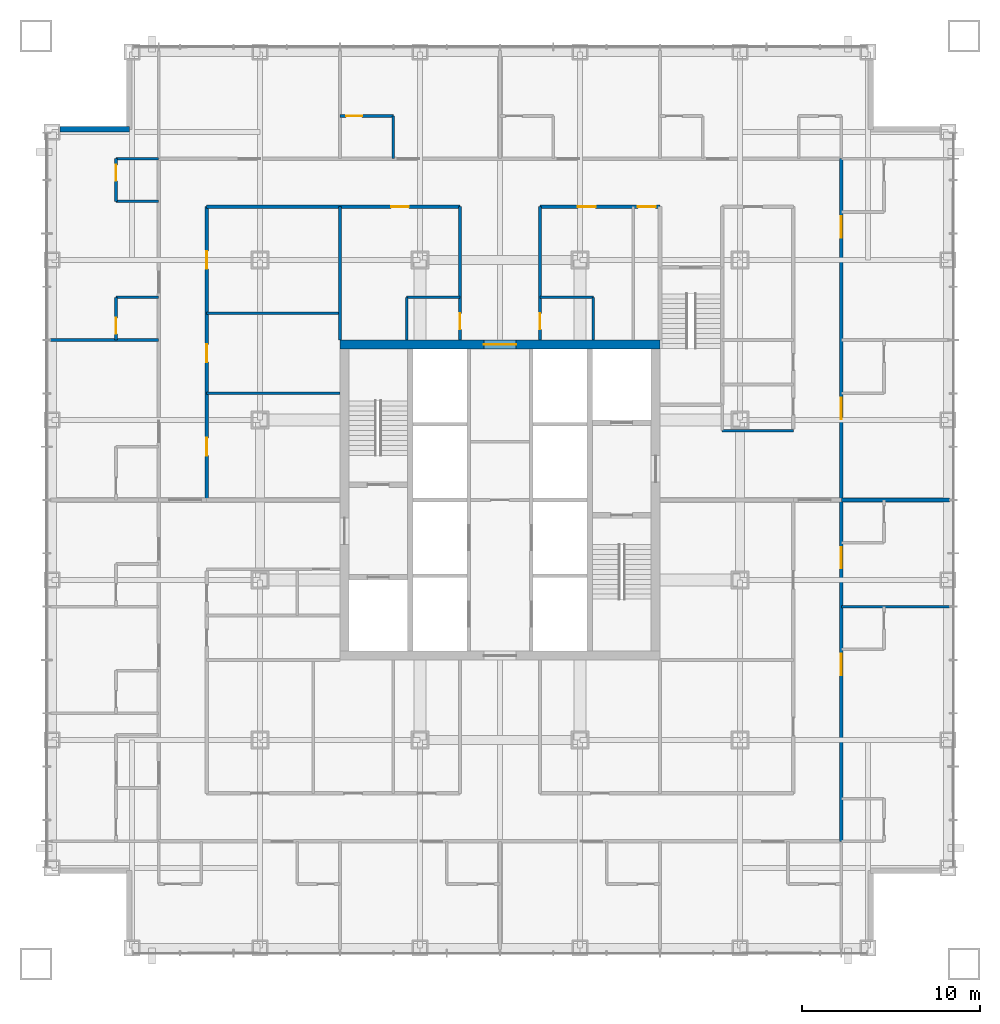
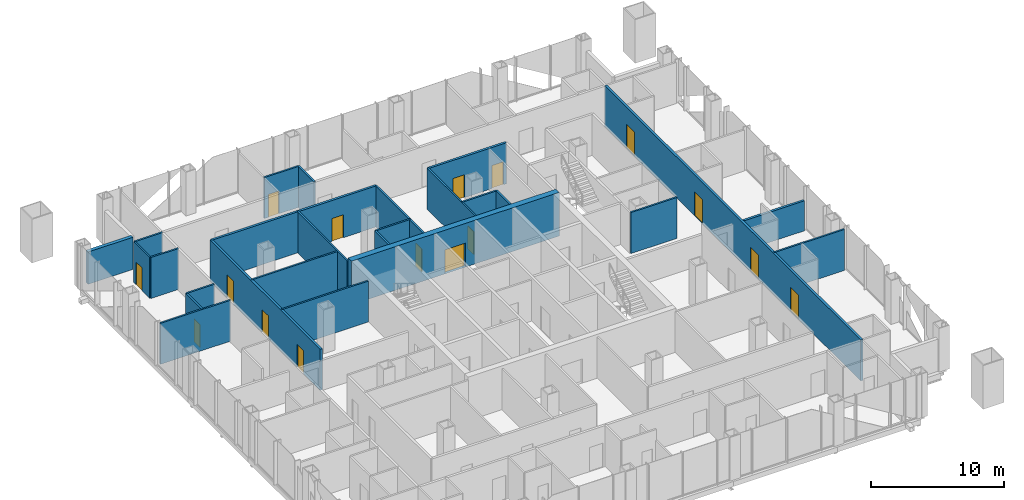
# One storey, part 10 of 13: 26 walls, 16 doors, 16 openings.
"""IFC4 building model written with IfcOpenShell, lengths in metres."""

from ifc_helpers import new_model, si_unit, direction, frame, frame_2d, origin, place, context, subcontext, project, spatial, rectangle, extrude, material, layer, layer_set, type_object, element, fill, save


model = new_model("IFC4")

# Units and contexts
model_context = context("Model", 3, precision=1e-05, world=origin(), true_north=direction((0.0, 1.0)))
body_context = subcontext(model_context, "Body", "Model", "MODEL_VIEW")
ifc_project = project(units=[si_unit("LENGTHUNIT", "METRE"), si_unit("AREAUNIT", "SQUARE_METRE"), si_unit("VOLUMEUNIT", "CUBIC_METRE"), si_unit("PLANEANGLEUNIT", "RADIAN"), si_unit("MASSUNIT", "GRAM", prefix="KILO")], contexts=[model_context])

# Site, building, storey
site_placement = place(None, origin())
site = spatial("IfcSite", under=ifc_project, at=site_placement, CompositionType="ELEMENT")
building_placement = place(site_placement, origin())
building = spatial("IfcBuilding", under=site, at=building_placement, Name="Malebo Sky Hospital", CompositionType="ELEMENT")
storey_placement = place(building_placement, frame((0.0, 0.0, 67.0)))
storey = spatial("IfcBuildingStorey", under=building, at=storey_placement, Name="L15", CompositionType="ELEMENT", Elevation=67.0)

# Wall, opening, door
ifc_material_1 = material(Name="Concrete C80/95", Category="concrete")
ifc_layer_1 = layer(ifc_material_1, 0.5)
ifc_layer_set_1 = layer_set([ifc_layer_1], Name="CORE WALL 500")
wall_type_1 = type_object("IfcWallType", Name="CORE WALL 500", PredefinedType="SHEAR", material=ifc_layer_set_1)
wall_1_placement = place(storey_placement, frame((51.0, 70.75, 0.0), z_axis=(0.0, 0.0, 1.0), x_axis=(1.0, 0.0, 0.0)))
wall_1 = element("IfcWall", 1, at=wall_1_placement, inside=storey, type_object=wall_type_1, Name="Core wall N L15", PredefinedType="SHEAR", context=body_context, shape_type="SweptSolid", body=[
    extrude(rectangle(XDim=18.0, YDim=0.5, at=frame_2d((9.0, 0.0))), origin(), (0.0, 0.0, 1.0), 4.0),
])
opening_1_placement = place(wall_1_placement, frame((8.10009765625, 0.0, 0.0)))
opening_1 = element("IfcOpeningElement", 2, at=opening_1_placement, cuts=wall_1, Name="Opening D06", PredefinedType="OPENING", context=body_context, shape_type="SweptSolid", body=[
    extrude(rectangle(XDim=1.800048828125, YDim=2.199951171875, at=frame_2d((0.89990234375, 1.10009765625))), frame((0.0, 0.260009765625, 0.0), z_axis=(0.0, -1.0, 0.0), x_axis=(1.0, 0.0, 0.0)), (0.0, 0.0, 1.0), 0.52001953125),
])
ifc_material_2 = material(Name="Hardwood-faced door leaf in steel frame", Category="steel")
door_type_1 = type_object("IfcDoorType", Name="LOBBY DOOR PAIR 1800", OperationType="DOUBLE_DOOR_SINGLE_SWING", PredefinedType="DOOR", material=ifc_material_2)
door_1_placement = place(opening_1_placement, origin())
door_1 = element("IfcDoor", 3, at=door_1_placement, inside=storey, type_object=door_type_1, Name="staff rest room door north", OperationType="DOUBLE_DOOR_SINGLE_SWING", OverallHeight=2.199951171875, OverallWidth=1.800048828125, PredefinedType="DOOR", context=body_context, shape_type="SweptSolid", body=[
    extrude(rectangle(XDim=1.800048828125, YDim=2.199951171875, at=frame_2d((0.89990234375, 1.10009765625))), frame((0.0, 0.02490234375, 0.0), z_axis=(0.0, -1.0, 0.0), x_axis=(1.0, 0.0, 0.0)), (0.0, 0.0, 1.0), 0.050048828125),
])
fill(opening_1, door_1)

ifc_material_3 = material(Name="Gypsum board on steel studs", Category="steel")
ifc_layer_2 = layer(ifc_material_3, 0.199951171875)
ifc_layer_set_2 = layer_set([ifc_layer_2], Name="CORRIDOR WALL 200")
wall_type_2 = type_object("IfcWallType", Name="CORRIDOR WALL 200", PredefinedType="PARTITIONING", material=ifc_layer_set_2)
wall_2_placement = place(storey_placement, frame((43.5, 78.5, 0.0), z_axis=(0.0, 0.0, 1.0), x_axis=(1.0, 0.0, 0.0)))
wall_2 = element("IfcWall", 4, at=wall_2_placement, inside=storey, type_object=wall_type_2, Name="Corridor Wall 200 NCI1", PredefinedType="PARTITIONING", context=body_context, shape_type="SweptSolid", body=[
    extrude(rectangle(XDim=14.25, YDim=0.199951171875, at=frame_2d((7.125, 0.0))), origin(), (0.0, 0.0, 1.0), 3.75),
])
opening_2_placement = place(wall_2_placement, frame((10.375, 0.0, 0.0)))
opening_2 = element("IfcOpeningElement", 5, at=opening_2_placement, cuts=wall_2, Name="Opening D03", PredefinedType="OPENING", context=body_context, shape_type="SweptSolid", body=[
    extrude(rectangle(XDim=1.0, YDim=2.10009765625, at=frame_2d((0.5, 1.050048828125))), frame((0.0, 0.10986328125, 0.0), z_axis=(0.0, -1.0, 0.0), x_axis=(1.0, 0.0, 0.0)), (0.0, 0.0, 1.0), 0.219970703125),
])
door_type_2 = type_object("IfcDoorType", Name="ROOM DOOR 1000", OperationType="SINGLE_SWING_LEFT", PredefinedType="DOOR", material=ifc_material_2)
door_2_placement = place(opening_2_placement, origin())
door_2 = element("IfcDoor", 6, at=door_2_placement, inside=storey, type_object=door_type_2, Name="Ward pantry door", OperationType="SINGLE_SWING_LEFT", OverallHeight=2.10009765625, OverallWidth=1.0, PredefinedType="DOOR", context=body_context, shape_type="SweptSolid", body=[
    extrude(rectangle(XDim=1.0, YDim=2.10009765625, at=frame_2d((0.5, 1.050048828125))), frame((0.0, 0.02490234375, 0.0), z_axis=(0.0, -1.0, 0.0), x_axis=(1.0, 0.0, 0.0)), (0.0, 0.0, 1.0), 0.050048828125),
])
fill(opening_2, door_2)

# Wall, openings, doors
wall_3_placement = place(storey_placement, frame((62.25, 78.5, 0.0), z_axis=(0.0, 0.0, 1.0), x_axis=(1.0, 0.0, 0.0)))
wall_3 = element("IfcWall", 7, at=wall_3_placement, inside=storey, type_object=wall_type_2, Name="Corridor Wall 200 NCI2", PredefinedType="PARTITIONING", context=body_context, shape_type="SweptSolid", body=[
    extrude(rectangle(XDim=6.75, YDim=0.199951171875, at=frame_2d((3.375, 0.0))), origin(), (0.0, 0.0, 1.0), 3.75),
])
opening_3_placement = place(wall_3_placement, frame((2.125, 0.0, 0.0)))
opening_3 = element("IfcOpeningElement", 8, at=opening_3_placement, cuts=wall_3, Name="Opening D03", PredefinedType="OPENING", context=body_context, shape_type="SweptSolid", body=[
    extrude(rectangle(XDim=1.0, YDim=2.10009765625, at=frame_2d((0.5, 1.050048828125))), frame((0.0, 0.10986328125, 0.0), z_axis=(0.0, -1.0, 0.0), x_axis=(1.0, 0.0, 0.0)), (0.0, 0.0, 1.0), 0.219970703125),
])
opening_4_placement = place(wall_3_placement, frame((5.5, 0.0, 0.0)))
opening_4 = element("IfcOpeningElement", 9, at=opening_4_placement, cuts=wall_3, Name="Opening D03", PredefinedType="OPENING", context=body_context, shape_type="SweptSolid", body=[
    extrude(rectangle(XDim=1.0, YDim=2.10009765625, at=frame_2d((0.5, 1.050048828125))), frame((0.0, 0.10986328125, 0.0), z_axis=(0.0, -1.0, 0.0), x_axis=(1.0, 0.0, 0.0)), (0.0, 0.0, 1.0), 0.219970703125),
])
door_3_placement = place(opening_3_placement, origin())
door_3 = element("IfcDoor", 10, at=door_3_placement, inside=storey, type_object=door_type_2, Name="Clean utility room door", OperationType="SINGLE_SWING_LEFT", OverallHeight=2.10009765625, OverallWidth=1.0, PredefinedType="DOOR", context=body_context, shape_type="SweptSolid", body=[
    extrude(rectangle(XDim=1.0, YDim=2.10009765625, at=frame_2d((0.5, 1.050048828125))), frame((0.0, 0.02490234375, 0.0), z_axis=(0.0, -1.0, 0.0), x_axis=(1.0, 0.0, 0.0)), (0.0, 0.0, 1.0), 0.050048828125),
])
fill(opening_3, door_3)
door_4_placement = place(opening_4_placement, origin())
door_4 = element("IfcDoor", 11, at=door_4_placement, inside=storey, type_object=door_type_2, Name="Physiotherapy store door", OperationType="SINGLE_SWING_RIGHT", OverallHeight=2.10009765625, OverallWidth=1.0, PredefinedType="DOOR", context=body_context, shape_type="SweptSolid", body=[
    extrude(rectangle(XDim=1.0, YDim=2.10009765625, at=frame_2d((0.5, 1.050048828125))), frame((0.0, 0.02490234375, 0.0), z_axis=(0.0, -1.0, 0.0), x_axis=(1.0, 0.0, 0.0)), (0.0, 0.0, 1.0), 0.050048828125),
])
fill(opening_4, door_4)

wall_4_placement = place(storey_placement, frame((43.5, 62.0, 0.0), z_axis=(0.0, 0.0, 1.0), x_axis=(0.0, 1.0, 0.0)))
wall_4 = element("IfcWall", 12, at=wall_4_placement, inside=storey, type_object=wall_type_2, Name="Corridor Wall 200 WCI2", PredefinedType="PARTITIONING", context=body_context, shape_type="SweptSolid", body=[
    extrude(rectangle(XDim=16.5, YDim=0.199951171875, at=frame_2d((8.25, 0.0))), origin(), (0.0, 0.0, 1.0), 3.75),
])
opening_5_placement = place(wall_4_placement, frame((2.5, 0.0, 0.0)))
opening_5 = element("IfcOpeningElement", 13, at=opening_5_placement, cuts=wall_4, Name="Opening D03", PredefinedType="OPENING", context=body_context, shape_type="SweptSolid", body=[
    extrude(rectangle(XDim=1.0, YDim=2.10009765625, at=frame_2d((0.5, 1.050048828125))), frame((0.0, 0.10986328125, 0.0), z_axis=(0.0, -1.0, 0.0), x_axis=(1.0, 0.0, 0.0)), (0.0, 0.0, 1.0), 0.219970703125),
])
opening_6_placement = place(wall_4_placement, frame((7.75, 0.0, 0.0)))
opening_6 = element("IfcOpeningElement", 14, at=opening_6_placement, cuts=wall_4, Name="Opening D03", PredefinedType="OPENING", context=body_context, shape_type="SweptSolid", body=[
    extrude(rectangle(XDim=1.0, YDim=2.10009765625, at=frame_2d((0.5, 1.050048828125))), frame((0.0, 0.10986328125, 0.0), z_axis=(0.0, -1.0, 0.0), x_axis=(1.0, 0.0, 0.0)), (0.0, 0.0, 1.0), 0.219970703125),
])
opening_7_placement = place(wall_4_placement, frame((13.0, 0.0, 0.0)))
opening_7 = element("IfcOpeningElement", 15, at=opening_7_placement, cuts=wall_4, Name="Opening D03", PredefinedType="OPENING", context=body_context, shape_type="SweptSolid", body=[
    extrude(rectangle(XDim=1.0, YDim=2.10009765625, at=frame_2d((0.5, 1.050048828125))), frame((0.0, 0.10986328125, 0.0), z_axis=(0.0, -1.0, 0.0), x_axis=(1.0, 0.0, 0.0)), (0.0, 0.0, 1.0), 0.219970703125),
])
door_5_placement = place(opening_5_placement, origin())
door_5 = element("IfcDoor", 16, at=door_5_placement, inside=storey, type_object=door_type_2, Name="Plaster room door", OperationType="SINGLE_SWING_LEFT", OverallHeight=2.10009765625, OverallWidth=1.0, PredefinedType="DOOR", context=body_context, shape_type="SweptSolid", body=[
    extrude(rectangle(XDim=1.0, YDim=2.10009765625, at=frame_2d((0.5, 1.050048828125))), frame((0.0, 0.02490234375, 0.0), z_axis=(0.0, -1.0, 0.0), x_axis=(1.0, 0.0, 0.0)), (0.0, 0.0, 1.0), 0.050048828125),
])
fill(opening_5, door_5)
door_6_placement = place(opening_6_placement, origin())
door_6 = element("IfcDoor", 17, at=door_6_placement, inside=storey, type_object=door_type_2, Name="Orthotics fitting room door", OperationType="SINGLE_SWING_LEFT", OverallHeight=2.10009765625, OverallWidth=1.0, PredefinedType="DOOR", context=body_context, shape_type="SweptSolid", body=[
    extrude(rectangle(XDim=1.0, YDim=2.10009765625, at=frame_2d((0.5, 1.050048828125))), frame((0.0, 0.02490234375, 0.0), z_axis=(0.0, -1.0, 0.0), x_axis=(1.0, 0.0, 0.0)), (0.0, 0.0, 1.0), 0.050048828125),
])
fill(opening_6, door_6)
door_7_placement = place(opening_7_placement, origin())
door_7 = element("IfcDoor", 18, at=door_7_placement, inside=storey, type_object=door_type_2, Name="Equipment bay store door", OperationType="SINGLE_SWING_RIGHT", OverallHeight=2.10009765625, OverallWidth=1.0, PredefinedType="DOOR", context=body_context, shape_type="SweptSolid", body=[
    extrude(rectangle(XDim=1.0, YDim=2.10009765625, at=frame_2d((0.5, 1.050048828125))), frame((0.0, 0.02490234375, 0.0), z_axis=(0.0, -1.0, 0.0), x_axis=(1.0, 0.0, 0.0)), (0.0, 0.0, 1.0), 0.050048828125),
])
fill(opening_7, door_7)

wall_5_placement = place(storey_placement, frame((79.199951171875, 81.199951171875, 0.0), z_axis=(0.0, 0.0, 1.0), x_axis=(0.0, -1.0, 0.0)))
wall_5 = element("IfcWall", 19, at=wall_5_placement, inside=storey, type_object=wall_type_2, Name="Corridor Wall 200 ECO", PredefinedType="PARTITIONING", context=body_context, shape_type="SweptSolid", body=[
    extrude(rectangle(XDim=38.39990234375, YDim=0.199951171875, at=frame_2d((19.199951171875, 0.0))), origin(), (0.0, 0.0, 1.0), 3.75),
])
opening_8_placement = place(wall_5_placement, frame((3.25, 0.0, 0.0)))
opening_8 = element("IfcOpeningElement", 20, at=opening_8_placement, cuts=wall_5, Name="Opening D01", PredefinedType="OPENING", context=body_context, shape_type="SweptSolid", body=[
    extrude(rectangle(XDim=1.199951171875, YDim=2.199951171875, at=frame_2d((0.60009765625, 1.10009765625))), frame((0.0, 0.10986328125, 0.0), z_axis=(0.0, -1.0, 0.0), x_axis=(1.0, 0.0, 0.0)), (0.0, 0.0, 1.0), 0.219970703125),
])
opening_9_placement = place(wall_5_placement, frame((13.449951171875, 0.0, 0.0)))
opening_9 = element("IfcOpeningElement", 21, at=opening_9_placement, cuts=wall_5, Name="Opening D01", PredefinedType="OPENING", context=body_context, shape_type="SweptSolid", body=[
    extrude(rectangle(XDim=1.199951171875, YDim=2.199951171875, at=frame_2d((0.60009765625, 1.10009765625))), frame((0.0, 0.10986328125, 0.0), z_axis=(0.0, -1.0, 0.0), x_axis=(1.0, 0.0, 0.0)), (0.0, 0.0, 1.0), 0.219970703125),
])
opening_10_placement = place(wall_5_placement, frame((21.85009765625, 0.0, 0.0)))
opening_10 = element("IfcOpeningElement", 22, at=opening_10_placement, cuts=wall_5, Name="Opening D01", PredefinedType="OPENING", context=body_context, shape_type="SweptSolid", body=[
    extrude(rectangle(XDim=1.199951171875, YDim=2.199951171875, at=frame_2d((0.60009765625, 1.10009765625))), frame((0.0, 0.10986328125, 0.0), z_axis=(0.0, -1.0, 0.0), x_axis=(1.0, 0.0, 0.0)), (0.0, 0.0, 1.0), 0.219970703125),
])
opening_11_placement = place(wall_5_placement, frame((27.85009765625, 0.0, 0.0)))
opening_11 = element("IfcOpeningElement", 23, at=opening_11_placement, cuts=wall_5, Name="Opening D01", PredefinedType="OPENING", context=body_context, shape_type="SweptSolid", body=[
    extrude(rectangle(XDim=1.199951171875, YDim=2.199951171875, at=frame_2d((0.60009765625, 1.10009765625))), frame((0.0, 0.10986328125, 0.0), z_axis=(0.0, -1.0, 0.0), x_axis=(1.0, 0.0, 0.0)), (0.0, 0.0, 1.0), 0.219970703125),
])
door_type_3 = type_object("IfcDoorType", Name="BED DOOR 1200", OperationType="SINGLE_SWING_LEFT", PredefinedType="DOOR", material=ifc_material_2)
door_8_placement = place(opening_8_placement, origin())
door_8 = element("IfcDoor", 24, at=door_8_placement, inside=storey, type_object=door_type_3, Name="Two-bed room door", OperationType="SINGLE_SWING_LEFT", OverallHeight=2.199951171875, OverallWidth=1.199951171875, PredefinedType="DOOR", context=body_context, shape_type="SweptSolid", body=[
    extrude(rectangle(XDim=1.199951171875, YDim=2.199951171875, at=frame_2d((0.60009765625, 1.10009765625))), frame((0.0, 0.02490234375, 0.0), z_axis=(0.0, -1.0, 0.0), x_axis=(1.0, 0.0, 0.0)), (0.0, 0.0, 1.0), 0.050048828125),
])
fill(opening_8, door_8)
door_9_placement = place(opening_9_placement, origin())
door_9 = element("IfcDoor", 25, at=door_9_placement, inside=storey, type_object=door_type_3, Name="Two-bed room door", OperationType="SINGLE_SWING_LEFT", OverallHeight=2.199951171875, OverallWidth=1.199951171875, PredefinedType="DOOR", context=body_context, shape_type="SweptSolid", body=[
    extrude(rectangle(XDim=1.199951171875, YDim=2.199951171875, at=frame_2d((0.60009765625, 1.10009765625))), frame((0.0, 0.02490234375, 0.0), z_axis=(0.0, -1.0, 0.0), x_axis=(1.0, 0.0, 0.0)), (0.0, 0.0, 1.0), 0.050048828125),
])
fill(opening_9, door_9)
door_10_placement = place(opening_10_placement, origin())
door_10 = element("IfcDoor", 26, at=door_10_placement, inside=storey, type_object=door_type_3, Name="Single bed room door", OperationType="SINGLE_SWING_LEFT", OverallHeight=2.199951171875, OverallWidth=1.199951171875, PredefinedType="DOOR", context=body_context, shape_type="SweptSolid", body=[
    extrude(rectangle(XDim=1.199951171875, YDim=2.199951171875, at=frame_2d((0.60009765625, 1.10009765625))), frame((0.0, 0.02490234375, 0.0), z_axis=(0.0, -1.0, 0.0), x_axis=(1.0, 0.0, 0.0)), (0.0, 0.0, 1.0), 0.050048828125),
])
fill(opening_10, door_10)
door_11_placement = place(opening_11_placement, origin())
door_11 = element("IfcDoor", 27, at=door_11_placement, inside=storey, type_object=door_type_3, Name="Four-bed bay door", OperationType="SINGLE_SWING_LEFT", OverallHeight=2.199951171875, OverallWidth=1.199951171875, PredefinedType="DOOR", context=body_context, shape_type="SweptSolid", body=[
    extrude(rectangle(XDim=1.199951171875, YDim=2.199951171875, at=frame_2d((0.60009765625, 1.10009765625))), frame((0.0, 0.02490234375, 0.0), z_axis=(0.0, -1.0, 0.0), x_axis=(1.0, 0.0, 0.0)), (0.0, 0.0, 1.0), 0.050048828125),
])
fill(opening_11, door_11)

# Wall
ifc_material_4 = material(Name="Anodised aluminium rainscreen on steel framing", Category="steel")
ifc_layer_3 = layer(ifc_material_4, 0.300048828125)
ifc_layer_set_3 = layer_set([ifc_layer_3], Name="NOTCH RAINSCREEN WALL 300")
wall_type_3 = type_object("IfcWallType", Name="NOTCH RAINSCREEN WALL 300", PredefinedType="ELEMENTEDWALL", material=ifc_layer_set_3)
wall_6_placement = place(storey_placement, frame((35.25, 82.85009765625, 0.0), z_axis=(0.0, 0.0, 1.0), x_axis=(1.0, 0.0, 0.0)))
element("IfcWall", 28, at=wall_6_placement, inside=storey, type_object=wall_type_3, Name="Notch rainscreen wall W1 L15", PredefinedType="ELEMENTEDWALL", context=body_context, shape_type="SweptSolid", body=[
    extrude(rectangle(XDim=3.89990234375, YDim=0.300048828125, at=frame_2d((1.949951171875, 0.0))), origin(), (0.0, 0.0, 1.0), 2.949951171875),
])

# Wall, opening, door
ifc_layer_4 = layer(ifc_material_3, 0.14990234375)
ifc_layer_set_4 = layer_set([ifc_layer_4], Name="PARTITION 150")
wall_type_4 = type_object("IfcWallType", Name="PARTITION 150", PredefinedType="PARTITIONING", material=ifc_layer_set_4)
wall_7_placement = place(storey_placement, frame((51.0, 83.60009765625, 0.0), z_axis=(0.0, 0.0, 1.0), x_axis=(1.0, 0.0, 0.0)))
wall_7 = element("IfcWall", 29, at=wall_7_placement, inside=storey, type_object=wall_type_4, Name="Partition 150 NE1F", PredefinedType="PARTITIONING", context=body_context, shape_type="SweptSolid", body=[
    extrude(rectangle(XDim=3.0, YDim=0.14990234375, at=frame_2d((1.5, 0.0))), origin(), (0.0, 0.0, 1.0), 3.75),
])
opening_12_placement = place(wall_7_placement, frame((0.35009765625, 0.0, 0.0)))
opening_12 = element("IfcOpeningElement", 30, at=opening_12_placement, cuts=wall_7, Name="Opening D02", PredefinedType="OPENING", context=body_context, shape_type="SweptSolid", body=[
    extrude(rectangle(XDim=0.89990234375, YDim=2.10009765625, at=frame_2d((0.449951171875, 1.050048828125))), frame((0.0, 0.0849609375, 0.0), z_axis=(0.0, -1.0, 0.0), x_axis=(1.0, 0.0, 0.0)), (0.0, 0.0, 1.0), 0.169921875),
])
door_type_4 = type_object("IfcDoorType", Name="EN-SUITE DOOR 900", OperationType="SINGLE_SWING_LEFT", PredefinedType="DOOR", material=ifc_material_2)
door_12_placement = place(opening_12_placement, origin())
door_12 = element("IfcDoor", 31, at=door_12_placement, inside=storey, type_object=door_type_4, Name="En-suite door", OperationType="SINGLE_SWING_LEFT", OverallHeight=2.10009765625, OverallWidth=0.89990234375, PredefinedType="DOOR", context=body_context, shape_type="SweptSolid", body=[
    extrude(rectangle(XDim=0.89990234375, YDim=2.10009765625, at=frame_2d((0.449951171875, 1.050048828125))), frame((0.0, 0.02490234375, 0.0), z_axis=(0.0, -1.0, 0.0), x_axis=(1.0, 0.0, 0.0)), (0.0, 0.0, 1.0), 0.050048828125),
])
fill(opening_12, door_12)

# Walls
wall_8_placement = place(storey_placement, frame((54.0, 81.199951171875, 0.0), z_axis=(0.0, 0.0, 1.0), x_axis=(0.0, 1.0, 0.0)))
element("IfcWall", 32, at=wall_8_placement, inside=storey, type_object=wall_type_4, Name="Partition 150 NE1S", PredefinedType="PARTITIONING", context=body_context, shape_type="SweptSolid", body=[
    extrude(rectangle(XDim=2.400146484375, YDim=0.14990234375, at=frame_2d((1.2001953125, 0.0))), origin(), (0.0, 0.0, 1.0), 3.75),
])
wall_9_placement = place(storey_placement, frame((51.0, 71.0, 0.0), z_axis=(0.0, 0.0, 1.0), x_axis=(0.0, 1.0, 0.0)))
element("IfcWall", 33, at=wall_9_placement, inside=storey, type_object=wall_type_4, Name="Partition 150 NSP0", PredefinedType="PARTITIONING", context=body_context, shape_type="SweptSolid", body=[
    extrude(rectangle(XDim=7.5, YDim=0.14990234375, at=frame_2d((3.75, 0.0))), origin(), (0.0, 0.0, 1.0), 3.75),
])

# Wall, opening, door
wall_10_placement = place(storey_placement, frame((57.75, 71.0, 0.0), z_axis=(0.0, 0.0, 1.0), x_axis=(0.0, 1.0, 0.0)))
wall_10 = element("IfcWall", 34, at=wall_10_placement, inside=storey, type_object=wall_type_4, Name="Partition 150 NSPA", PredefinedType="PARTITIONING", context=body_context, shape_type="SweptSolid", body=[
    extrude(rectangle(XDim=7.5, YDim=0.14990234375, at=frame_2d((3.75, 0.0))), origin(), (0.0, 0.0, 1.0), 3.75),
])
opening_13_placement = place(wall_10_placement, frame((0.60009765625, 0.0, 0.0)))
opening_13 = element("IfcOpeningElement", 35, at=opening_13_placement, cuts=wall_10, Name="Opening D04", PredefinedType="OPENING", context=body_context, shape_type="SweptSolid", body=[
    extrude(rectangle(XDim=0.89990234375, YDim=2.10009765625, at=frame_2d((0.449951171875, 1.050048828125))), frame((0.0, 0.0849609375, 0.0), z_axis=(0.0, -1.0, 0.0), x_axis=(1.0, 0.0, 0.0)), (0.0, 0.0, 1.0), 0.169921875),
])
door_type_5 = type_object("IfcDoorType", Name="ROOM DOOR 900", OperationType="SINGLE_SWING_LEFT", PredefinedType="DOOR", material=ifc_material_2)
door_13_placement = place(opening_13_placement, origin())
door_13 = element("IfcDoor", 36, at=door_13_placement, inside=storey, type_object=door_type_5, Name="Staff WC door", OperationType="SINGLE_SWING_LEFT", OverallHeight=2.10009765625, OverallWidth=0.89990234375, PredefinedType="DOOR", context=body_context, shape_type="SweptSolid", body=[
    extrude(rectangle(XDim=0.89990234375, YDim=2.10009765625, at=frame_2d((0.449951171875, 1.050048828125))), frame((0.0, 0.02490234375, 0.0), z_axis=(0.0, -1.0, 0.0), x_axis=(1.0, 0.0, 0.0)), (0.0, 0.0, 1.0), 0.050048828125),
])
fill(opening_13, door_13)

wall_11_placement = place(storey_placement, frame((62.25, 71.0, 0.0), z_axis=(0.0, 0.0, 1.0), x_axis=(0.0, 1.0, 0.0)))
wall_11 = element("IfcWall", 37, at=wall_11_placement, inside=storey, type_object=wall_type_4, Name="Partition 150 NSPB", PredefinedType="PARTITIONING", context=body_context, shape_type="SweptSolid", body=[
    extrude(rectangle(XDim=7.5, YDim=0.14990234375, at=frame_2d((3.75, 0.0))), origin(), (0.0, 0.0, 1.0), 3.75),
])
opening_14_placement = place(wall_11_placement, frame((0.60009765625, 0.0, 0.0)))
opening_14 = element("IfcOpeningElement", 38, at=opening_14_placement, cuts=wall_11, Name="Opening D04", PredefinedType="OPENING", context=body_context, shape_type="SweptSolid", body=[
    extrude(rectangle(XDim=0.89990234375, YDim=2.10009765625, at=frame_2d((0.449951171875, 1.050048828125))), frame((0.0, 0.0849609375, 0.0), z_axis=(0.0, -1.0, 0.0), x_axis=(1.0, 0.0, 0.0)), (0.0, 0.0, 1.0), 0.169921875),
])
door_14_placement = place(opening_14_placement, origin())
door_14 = element("IfcDoor", 39, at=door_14_placement, inside=storey, type_object=door_type_5, Name="Accessible WC door", OperationType="SINGLE_SWING_LEFT", OverallHeight=2.10009765625, OverallWidth=0.89990234375, PredefinedType="DOOR", context=body_context, shape_type="SweptSolid", body=[
    extrude(rectangle(XDim=0.89990234375, YDim=2.10009765625, at=frame_2d((0.449951171875, 1.050048828125))), frame((0.0, 0.02490234375, 0.0), z_axis=(0.0, -1.0, 0.0), x_axis=(1.0, 0.0, 0.0)), (0.0, 0.0, 1.0), 0.050048828125),
])
fill(opening_14, door_14)

# Walls
wall_12_placement = place(storey_placement, frame((54.75, 73.39990234375, 0.0), z_axis=(0.0, 0.0, 1.0), x_axis=(1.0, 0.0, 0.0)))
element("IfcWall", 40, at=wall_12_placement, inside=storey, type_object=wall_type_4, Name="Partition 150 NSX0", PredefinedType="PARTITIONING", context=body_context, shape_type="SweptSolid", body=[
    extrude(rectangle(XDim=3.0, YDim=0.14990234375, at=frame_2d((1.5, 0.0))), origin(), (0.0, 0.0, 1.0), 3.75),
])
wall_13_placement = place(storey_placement, frame((54.75, 71.0, 0.0), z_axis=(0.0, 0.0, 1.0), x_axis=(0.0, 1.0, 0.0)))
element("IfcWall", 41, at=wall_13_placement, inside=storey, type_object=wall_type_4, Name="Partition 150 NSY0", PredefinedType="PARTITIONING", context=body_context, shape_type="SweptSolid", body=[
    extrude(rectangle(XDim=2.39990234375, YDim=0.14990234375, at=frame_2d((1.199951171875, 0.0))), origin(), (0.0, 0.0, 1.0), 3.75),
])
wall_14_placement = place(storey_placement, frame((62.25, 73.39990234375, 0.0), z_axis=(0.0, 0.0, 1.0), x_axis=(1.0, 0.0, 0.0)))
element("IfcWall", 42, at=wall_14_placement, inside=storey, type_object=wall_type_4, Name="Partition 150 NSX1", PredefinedType="PARTITIONING", context=body_context, shape_type="SweptSolid", body=[
    extrude(rectangle(XDim=3.0, YDim=0.14990234375, at=frame_2d((1.5, 0.0))), origin(), (0.0, 0.0, 1.0), 3.75),
])
wall_15_placement = place(storey_placement, frame((65.25, 71.0, 0.0), z_axis=(0.0, 0.0, 1.0), x_axis=(0.0, 1.0, 0.0)))
element("IfcWall", 43, at=wall_15_placement, inside=storey, type_object=wall_type_4, Name="Partition 150 NSY1", PredefinedType="PARTITIONING", context=body_context, shape_type="SweptSolid", body=[
    extrude(rectangle(XDim=2.39990234375, YDim=0.14990234375, at=frame_2d((1.199951171875, 0.0))), origin(), (0.0, 0.0, 1.0), 3.75),
])
wall_16_placement = place(storey_placement, frame((40.800048828125, 71.0, 0.0), z_axis=(0.0, 0.0, 1.0), x_axis=(-1.0, 0.0, 0.0)))
element("IfcWall", 44, at=wall_16_placement, inside=storey, type_object=wall_type_4, Name="Partition 150 WP+9.0", PredefinedType="PARTITIONING", context=body_context, shape_type="SweptSolid", body=[
    extrude(rectangle(XDim=6.074951171875, YDim=0.14990234375, at=frame_2d((3.03759765625, 0.0))), origin(), (0.0, 0.0, 1.0), 3.75),
])

# Wall, opening, door
wall_17_placement = place(storey_placement, frame((38.39990234375, 71.0, 0.0), z_axis=(0.0, 0.0, 1.0), x_axis=(0.0, 1.0, 0.0)))
wall_17 = element("IfcWall", 45, at=wall_17_placement, inside=storey, type_object=wall_type_4, Name="Partition 150 WE4F", PredefinedType="PARTITIONING", context=body_context, shape_type="SweptSolid", body=[
    extrude(rectangle(XDim=2.39990234375, YDim=0.14990234375, at=frame_2d((1.199951171875, 0.0))), origin(), (0.0, 0.0, 1.0), 3.75),
])
opening_15_placement = place(wall_17_placement, frame((0.35009765625, 0.0, 0.0)))
opening_15 = element("IfcOpeningElement", 46, at=opening_15_placement, cuts=wall_17, Name="Opening D02", PredefinedType="OPENING", context=body_context, shape_type="SweptSolid", body=[
    extrude(rectangle(XDim=0.89990234375, YDim=2.10009765625, at=frame_2d((0.449951171875, 1.050048828125))), frame((0.0, 0.0849609375, 0.0), z_axis=(0.0, -1.0, 0.0), x_axis=(1.0, 0.0, 0.0)), (0.0, 0.0, 1.0), 0.169921875),
])
door_15_placement = place(opening_15_placement, origin())
door_15 = element("IfcDoor", 47, at=door_15_placement, inside=storey, type_object=door_type_4, Name="En-suite door", OperationType="SINGLE_SWING_LEFT", OverallHeight=2.10009765625, OverallWidth=0.89990234375, PredefinedType="DOOR", context=body_context, shape_type="SweptSolid", body=[
    extrude(rectangle(XDim=0.89990234375, YDim=2.10009765625, at=frame_2d((0.449951171875, 1.050048828125))), frame((0.0, 0.02490234375, 0.0), z_axis=(0.0, -1.0, 0.0), x_axis=(1.0, 0.0, 0.0)), (0.0, 0.0, 1.0), 0.050048828125),
])
fill(opening_15, door_15)

# Wall
wall_18_placement = place(storey_placement, frame((40.800048828125, 73.39990234375, 0.0), z_axis=(0.0, 0.0, 1.0), x_axis=(-1.0, 0.0, 0.0)))
element("IfcWall", 48, at=wall_18_placement, inside=storey, type_object=wall_type_4, Name="Partition 150 WE4S", PredefinedType="PARTITIONING", context=body_context, shape_type="SweptSolid", body=[
    extrude(rectangle(XDim=2.400146484375, YDim=0.14990234375, at=frame_2d((1.2001953125, 0.0))), origin(), (0.0, 0.0, 1.0), 3.75),
])

# Wall, opening, door
wall_19_placement = place(storey_placement, frame((38.39990234375, 78.800048828125, 0.0), z_axis=(0.0, 0.0, 1.0), x_axis=(0.0, 1.0, 0.0)))
wall_19 = element("IfcWall", 49, at=wall_19_placement, inside=storey, type_object=wall_type_4, Name="Partition 150 WG4F", PredefinedType="PARTITIONING", context=body_context, shape_type="SweptSolid", body=[
    extrude(rectangle(XDim=2.39990234375, YDim=0.14990234375, at=frame_2d((1.199951171875, 0.0))), origin(), (0.0, 0.0, 1.0), 3.75),
])
opening_16_placement = place(wall_19_placement, frame((1.14990234375, 0.0, 0.0)))
opening_16 = element("IfcOpeningElement", 50, at=opening_16_placement, cuts=wall_19, Name="Opening D02", PredefinedType="OPENING", context=body_context, shape_type="SweptSolid", body=[
    extrude(rectangle(XDim=0.89990234375, YDim=2.10009765625, at=frame_2d((0.449951171875, 1.050048828125))), frame((0.0, 0.0849609375, 0.0), z_axis=(0.0, -1.0, 0.0), x_axis=(1.0, 0.0, 0.0)), (0.0, 0.0, 1.0), 0.169921875),
])
door_16_placement = place(opening_16_placement, origin())
door_16 = element("IfcDoor", 51, at=door_16_placement, inside=storey, type_object=door_type_4, Name="En-suite door", OperationType="SINGLE_SWING_RIGHT", OverallHeight=2.10009765625, OverallWidth=0.89990234375, PredefinedType="DOOR", context=body_context, shape_type="SweptSolid", body=[
    extrude(rectangle(XDim=0.89990234375, YDim=2.10009765625, at=frame_2d((0.449951171875, 1.050048828125))), frame((0.0, 0.02490234375, 0.0), z_axis=(0.0, -1.0, 0.0), x_axis=(1.0, 0.0, 0.0)), (0.0, 0.0, 1.0), 0.050048828125),
])
fill(opening_16, door_16)

# Walls
for number, where, z_axis, x_axis, name in (
    (52, (40.800048828125, 78.800048828125, 0.0), (0.0, 0.0, 1.0), (-1.0, 0.0, 0.0), "Partition 150 WG4S"),
    (53, (40.800048828125, 81.199951171875, 0.0), (0.0, 0.0, 1.0), (-1.0, 0.0, 0.0), "Partition 150 WEZ"),
):
    element("IfcWall", number, at=place(storey_placement, frame(where, z_axis=z_axis, x_axis=x_axis)), inside=storey, type_object=wall_type_4, Name=name, PredefinedType="PARTITIONING", context=body_context, shape_type="SweptSolid", body=[
        extrude(rectangle(XDim=2.400146484375, YDim=0.14990234375, at=frame_2d((1.2001953125, 0.0))), origin(), (0.0, 0.0, 1.0), 3.75),
    ])
for number, where, z_axis, x_axis, name in (
    (54, (51.0, 68.0, 0.0), (0.0, 0.0, 1.0), (-1.0, 0.0, 0.0), "Partition 150 WSP+6.0"),
    (55, (51.0, 72.5, 0.0), (0.0, 0.0, 1.0), (-1.0, 0.0, 0.0), "Partition 150 WSP+10.5"),
):
    element("IfcWall", number, at=place(storey_placement, frame(where, z_axis=z_axis, x_axis=x_axis)), inside=storey, type_object=wall_type_4, Name=name, PredefinedType="PARTITIONING", context=body_context, shape_type="SweptSolid", body=[
        extrude(rectangle(XDim=7.5, YDim=0.14990234375, at=frame_2d((3.75, 0.0))), origin(), (0.0, 0.0, 1.0), 3.75),
    ])
wall_20_placement = place(storey_placement, frame((79.199951171875, 56.0, 0.0), z_axis=(0.0, 0.0, 1.0), x_axis=(1.0, 0.0, 0.0)))
element("IfcWall", 56, at=wall_20_placement, inside=storey, type_object=wall_type_4, Name="Partition 150 EP+6.0", PredefinedType="PARTITIONING", context=body_context, shape_type="SweptSolid", body=[
    extrude(rectangle(XDim=6.074951171875, YDim=0.14990234375, at=frame_2d((3.03759765625, 0.0))), origin(), (0.0, 0.0, 1.0), 3.75),
])
wall_21_placement = place(storey_placement, frame((72.5, 65.89990234375, 0.0), z_axis=(0.0, 0.0, 1.0), x_axis=(1.0, 0.0, 0.0)))
element("IfcWall", 57, at=wall_21_placement, inside=storey, type_object=wall_type_4, Name="Partition 150 ESPA", PredefinedType="PARTITIONING", context=body_context, shape_type="SweptSolid", body=[
    extrude(rectangle(XDim=4.0, YDim=0.14990234375, at=frame_2d((2.0, 0.0))), origin(), (0.0, 0.0, 1.0), 3.75),
])
ifc_material_5 = material(Name="Concrete blockwork", Category="masonry")
ifc_layer_5 = layer(ifc_material_5, 0.199951171875)
ifc_layer_set_5 = layer_set([ifc_layer_5], Name="SMOKE BARRIER WALL 200")
wall_type_5 = type_object("IfcWallType", Name="SMOKE BARRIER WALL 200", PredefinedType="SOLIDWALL", material=ifc_layer_set_5)
wall_22_placement = place(storey_placement, frame((79.199951171875, 62.0, 0.0), z_axis=(0.0, 0.0, 1.0), x_axis=(1.0, 0.0, 0.0)))
element("IfcWall", 58, at=wall_22_placement, inside=storey, type_object=wall_type_5, Name="Smoke Barrier Wall 200 EP+0.0", PredefinedType="SOLIDWALL", context=body_context, shape_type="SweptSolid", body=[
    extrude(rectangle(XDim=6.074951171875, YDim=0.199951171875, at=frame_2d((3.03759765625, 0.0))), origin(), (0.0, 0.0, 1.0), 2.75),
])

save(model, "model.ifc")
